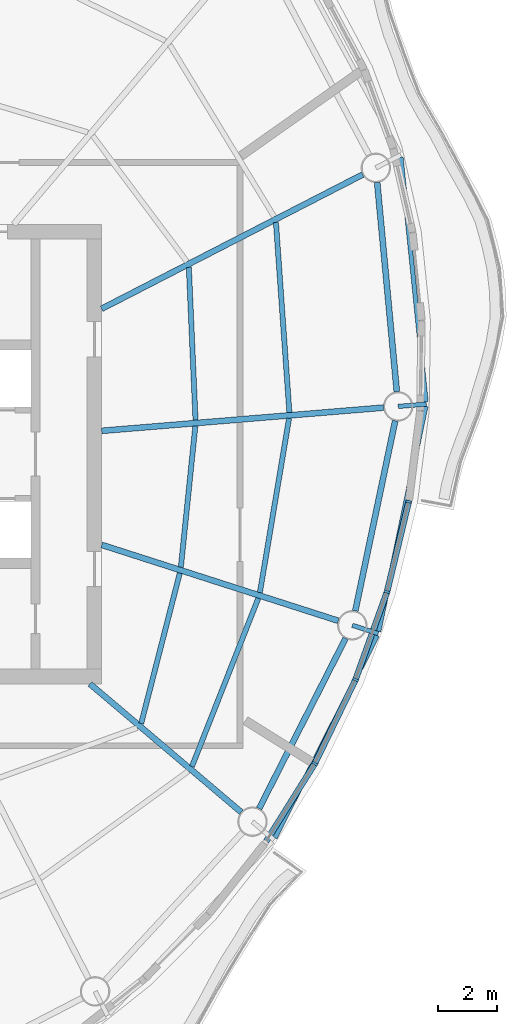
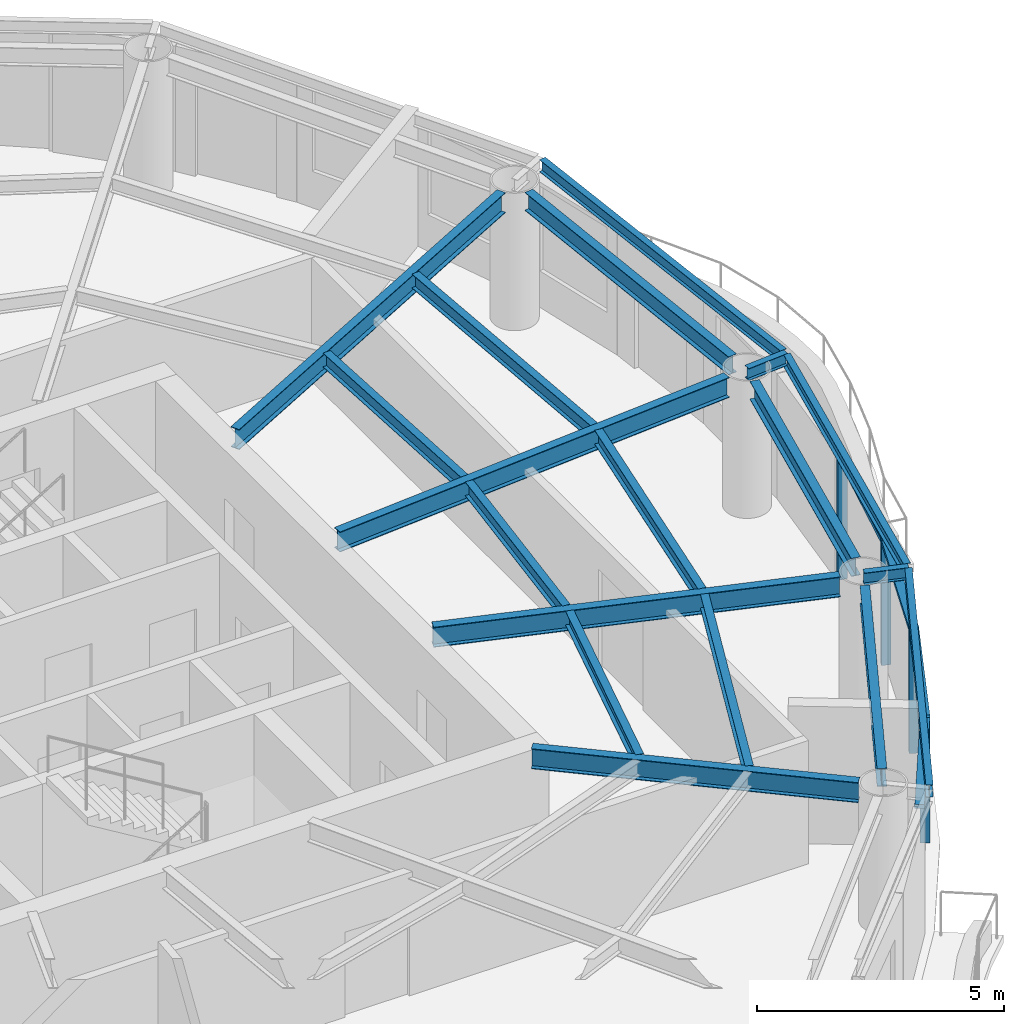
# One storey, part 4 of 13: 18 beams, 8 members, 4 elements without a shape of their own.
"""IFC4 building model written with IfcOpenShell, lengths in metres."""

from ifc_helpers import new_model, si_unit, direction, frame, origin, origin_2d, place, context, subcontext, project, spatial, rectangle, i_section, extrude, material, material_profile, profile_set, type_object, element, aggregate, save


model = new_model("IFC4")

# Units and contexts
model_context = context("Model", 3, precision=1e-05, world=origin(), true_north=direction((0.0, 1.0)))
body_context = subcontext(model_context, "Body", "Model", "MODEL_VIEW")
ifc_project = project(units=[si_unit("LENGTHUNIT", "METRE"), si_unit("AREAUNIT", "SQUARE_METRE"), si_unit("VOLUMEUNIT", "CUBIC_METRE"), si_unit("PLANEANGLEUNIT", "RADIAN"), si_unit("MASSUNIT", "GRAM", prefix="KILO")], contexts=[model_context])

# Site, building, storey
site_placement = place(None, origin())
site = spatial("IfcSite", under=ifc_project, at=site_placement, CompositionType="ELEMENT")
building_placement = place(site_placement, origin())
building = spatial("IfcBuilding", under=site, at=building_placement, Name="Vermilion Reach Broadcast Tower", CompositionType="ELEMENT")
storey_placement = place(building_placement, frame((0.0, 0.0, 300.89990234375)))
storey = spatial("IfcBuildingStorey", under=building, at=storey_placement, Name="L75", CompositionType="ELEMENT", Elevation=300.89990234375)

# Beams
ifc_material_1 = material(Name="Steel S355J2", Category="steel")
ifc_material_profile_1 = material_profile(ifc_material_1, i_section(OverallWidth=0.14990234375, OverallDepth=0.300048828125, WebThickness=0.006591796875, FlangeThickness=0.009033203125, at=origin_2d()), Name="S355J2 HN 300x150x6.5x9")
ifc_profile_set_1 = profile_set([ifc_material_profile_1], Name="Steel S355J2")
beam_type_1 = type_object("IfcBeamType", Name="EB5 HN 300x150x6.5x9", PredefinedType="BEAM", material=ifc_profile_set_1)
beam_1_placement = place(storey_placement, frame((9.48291015625, -13.02734375, 3.25), z_axis=(0.451232435887, 0.892406459414, 0.0), x_axis=(-0.892406459414, 0.451232435887, 0.0)))
element("IfcBeam", 1, at=beam_1_placement, inside=storey, type_object=beam_type_1, Name="Edge beam EB5-12", PredefinedType="BEAM", context=body_context, shape_type="SweptSolid", body=[
    extrude(i_section(OverallWidth=0.14990234375, OverallDepth=0.300048828125, WebThickness=0.006591796875, FlangeThickness=0.009033203125, at=origin_2d()), origin(), (0.0, 0.0, 1.0), 7.6943359375),
])
beam_2_placement = place(storey_placement, frame((13.00439453125, -6.019287109375, 3.25), z_axis=(0.204738436734, 0.978816720599, 0.0), x_axis=(-0.978816720599, 0.204738436734, 0.0)))
element("IfcBeam", 2, at=beam_2_placement, inside=storey, type_object=beam_type_1, Name="Edge beam EB5-13", PredefinedType="BEAM", context=body_context, shape_type="SweptSolid", body=[
    extrude(i_section(OverallWidth=0.14990234375, OverallDepth=0.300048828125, WebThickness=0.006591796875, FlangeThickness=0.009033203125, at=origin_2d()), origin(), (0.0, 0.0, 1.0), 7.806884765625),
])
beam_3_placement = place(storey_placement, frame((14.611083984375, 1.7734375, 3.25), z_axis=(-0.102011792202, 0.99478318957, 0.0), x_axis=(-0.99478318957, -0.102011792202, 0.0)))
element("IfcBeam", 3, at=beam_3_placement, inside=storey, type_object=beam_type_1, Name="Edge beam EB5-14", PredefinedType="BEAM", context=body_context, shape_type="SweptSolid", body=[
    extrude(i_section(OverallWidth=0.14990234375, OverallDepth=0.300048828125, WebThickness=0.006591796875, FlangeThickness=0.009033203125, at=origin_2d()), origin(), (0.0, 0.0, 1.0), 8.34521484375),
])
ifc_material_2 = material(Name="Steel S355J2", Category="steel")
ifc_material_profile_2 = material_profile(ifc_material_2, i_section(OverallWidth=0.199951171875, OverallDepth=0.5, WebThickness=0.010009765625, FlangeThickness=0.01611328125, at=origin_2d()), Name="S355J2 HN 500x200x10x16")
ifc_profile_set_2 = profile_set([ifc_material_profile_2], Name="Steel S355J2")
beam_type_2 = type_object("IfcBeamType", Name="G5 HN 500x200x10x16", PredefinedType="BEAM", material=ifc_profile_set_2)
beam_4_placement = place(storey_placement, frame((3.20068359375, -7.800048828125, 3.150146484375), z_axis=(0.762793125612, -0.646642596431, 0.0), x_axis=(0.646642596431, 0.762793125612, 0.0)))
element("IfcBeam", 4, at=beam_4_placement, inside=storey, type_object=beam_type_2, Name="Girder G5-12", PredefinedType="BEAM", context=body_context, shape_type="SweptSolid", body=[
    extrude(i_section(OverallWidth=0.199951171875, OverallDepth=0.5, WebThickness=0.010009765625, FlangeThickness=0.01611328125, at=origin_2d()), origin(), (0.0, 0.0, 1.0), 6.732421875),
])
beam_5_placement = place(storey_placement, frame((3.60009765625, -3.080322265625, 3.150146484375), z_axis=(0.952178453449, -0.305542456604, 0.0), x_axis=(0.305542456604, 0.952178453449, 0.0)))
element("IfcBeam", 5, at=beam_5_placement, inside=storey, type_object=beam_type_2, Name="Girder G5-13", PredefinedType="BEAM", context=body_context, shape_type="SweptSolid", body=[
    extrude(i_section(OverallWidth=0.199951171875, OverallDepth=0.5, WebThickness=0.010009765625, FlangeThickness=0.01611328125, at=origin_2d()), origin(), (0.0, 0.0, 1.0), 8.43310546875),
])
beam_6_placement = place(storey_placement, frame((3.60009765625, 0.791015625, 3.150146484375), z_axis=(0.996624410075, 0.082096195058, 0.0), x_axis=(-0.082096195058, 0.996624410075, 0.0)))
element("IfcBeam", 6, at=beam_6_placement, inside=storey, type_object=beam_type_2, Name="Girder G5-14", PredefinedType="BEAM", context=body_context, shape_type="SweptSolid", body=[
    extrude(i_section(OverallWidth=0.199951171875, OverallDepth=0.5, WebThickness=0.010009765625, FlangeThickness=0.01611328125, at=origin_2d()), origin(), (0.0, 0.0, 1.0), 9.599609375),
])
beam_7_placement = place(storey_placement, frame((3.60009765625, 4.935791015625, 3.150146484375), z_axis=(0.889332502449, 0.457261085254, 0.0), x_axis=(-0.457261085254, 0.889332502449, 0.0)))
element("IfcBeam", 7, at=beam_7_placement, inside=storey, type_object=beam_type_2, Name="Girder G5-15", PredefinedType="BEAM", context=body_context, shape_type="SweptSolid", body=[
    extrude(i_section(OverallWidth=0.199951171875, OverallDepth=0.5, WebThickness=0.010009765625, FlangeThickness=0.01611328125, at=origin_2d()), origin(), (0.0, 0.0, 1.0), 9.96337890625),
])
ifc_material_3 = material(Name="Steel S355J2", Category="steel")
ifc_material_profile_3 = material_profile(ifc_material_3, i_section(OverallWidth=0.14990234375, OverallDepth=0.300048828125, WebThickness=0.006591796875, FlangeThickness=0.009033203125, at=origin_2d()), Name="S355J2 HN 300x150x6.5x9")
ifc_profile_set_3 = profile_set([ifc_material_profile_3], Name="Steel S355J2")
beam_type_3 = type_object("IfcBeamType", Name="GS5 HN 300x150x6.5x9", PredefinedType="BEAM", material=ifc_profile_set_3)
beam_8_placement = place(storey_placement, frame((12.10595703125, -5.809814453125, 3.25), z_axis=(0.952228317443, -0.305387019141, 0.0), x_axis=(0.305387019141, 0.952228317443, 0.0)))
element("IfcBeam", 8, at=beam_8_placement, inside=storey, type_object=beam_type_3, Name="Cantilever stub GS5-13", PredefinedType="BEAM", context=body_context, shape_type="SweptSolid", body=[
    extrude(i_section(OverallWidth=0.14990234375, OverallDepth=0.300048828125, WebThickness=0.006591796875, FlangeThickness=0.009033203125, at=origin_2d()), origin(), (0.0, 0.0, 1.0), 0.92724609375),
])
beam_9_placement = place(storey_placement, frame((13.665771484375, 1.620361328125, 3.25), z_axis=(0.996634988565, 0.081967673925, 0.0), x_axis=(-0.081967673925, 0.996634988565, 0.0)))
element("IfcBeam", 9, at=beam_9_placement, inside=storey, type_object=beam_type_3, Name="Cantilever stub GS5-14", PredefinedType="BEAM", context=body_context, shape_type="SweptSolid", body=[
    extrude(i_section(OverallWidth=0.14990234375, OverallDepth=0.300048828125, WebThickness=0.006591796875, FlangeThickness=0.009033203125, at=origin_2d()), origin(), (0.0, 0.0, 1.0), 0.9560546875),
])
ifc_material_4 = material(Name="Steel S355J2", Category="steel")
ifc_material_profile_4 = material_profile(ifc_material_4, i_section(OverallWidth=0.199951171875, OverallDepth=0.449951171875, WebThickness=0.009033203125, FlangeThickness=0.013916015625, at=origin_2d()), Name="S355J2 HN 450x200x9x14")
ifc_profile_set_4 = profile_set([ifc_material_profile_4], Name="Steel S355J2")
beam_type_4 = type_object("IfcBeamType", Name="RB5 HN 450x200x9x14", PredefinedType="BEAM", material=ifc_profile_set_4)
beam_10_placement = place(storey_placement, frame((8.944091796875, -12.03125, 3.175048828125), z_axis=(0.453052302855, 0.891483937532, 0.0), x_axis=(-0.891483937532, 0.453052302855, 0.0)))
element("IfcBeam", 10, at=beam_10_placement, inside=storey, type_object=beam_type_4, Name="Ring beam RB5-12", PredefinedType="BEAM", context=body_context, shape_type="SweptSolid", body=[
    extrude(i_section(OverallWidth=0.199951171875, OverallDepth=0.449951171875, WebThickness=0.009033203125, FlangeThickness=0.013916015625, at=origin_2d()), origin(), (0.0, 0.0, 1.0), 6.47900390625),
])
beam_11_placement = place(storey_placement, frame((12.208740234375, -5.3203125, 3.175048828125), z_axis=(0.205444869285, 0.978668690459, 0.0), x_axis=(-0.978668690459, 0.205444869285, 0.0)))
element("IfcBeam", 11, at=beam_11_placement, inside=storey, type_object=beam_type_4, Name="Ring beam RB5-13", PredefinedType="BEAM", context=body_context, shape_type="SweptSolid", body=[
    extrude(i_section(OverallWidth=0.199951171875, OverallDepth=0.449951171875, WebThickness=0.009033203125, FlangeThickness=0.013916015625, at=origin_2d()), origin(), (0.0, 0.0, 1.0), 6.591796875),
])
beam_12_placement = place(storey_placement, frame((13.618896484375, 2.1181640625, 3.175048828125), z_axis=(-0.093441399272, 0.995624781181, 0.0), x_axis=(-0.995624781181, -0.093441399272, 0.0)))
element("IfcBeam", 12, at=beam_12_placement, inside=storey, type_object=beam_type_4, Name="Ring beam RB5-14", PredefinedType="BEAM", context=body_context, shape_type="SweptSolid", body=[
    extrude(i_section(OverallWidth=0.199951171875, OverallDepth=0.449951171875, WebThickness=0.009033203125, FlangeThickness=0.013916015625, at=origin_2d()), origin(), (0.0, 0.0, 1.0), 7.135498046875),
])
ifc_material_5 = material(Name="Steel S355J2", Category="steel")
ifc_material_profile_5 = material_profile(ifc_material_5, i_section(OverallWidth=0.175048828125, OverallDepth=0.35009765625, WebThickness=0.007080078125, FlangeThickness=0.010986328125, at=origin_2d()), Name="S355J2 HN 350x175x7x11")
ifc_profile_set_5 = profile_set([ifc_material_profile_5], Name="Steel S355J2")
beam_type_5 = type_object("IfcBeamType", Name="SB5 HN 350x175x7x11", PredefinedType="BEAM", material=ifc_profile_set_5)
beam_13_placement = place(storey_placement, frame((4.940185546875, -9.1435546875, 3.22509765625), z_axis=(0.248729575729, 0.968572969971, 0.0), x_axis=(-0.968572969971, 0.248729575729, 0.0)))
element("IfcBeam", 13, at=beam_13_placement, inside=storey, type_object=beam_type_5, Name="Secondary beam SB5-12-1", PredefinedType="BEAM", context=body_context, shape_type="SweptSolid", body=[
    extrude(i_section(OverallWidth=0.175048828125, OverallDepth=0.35009765625, WebThickness=0.007080078125, FlangeThickness=0.010986328125, at=origin_2d()), origin(), (0.0, 0.0, 1.0), 5.27294921875),
])
beam_14_placement = place(storey_placement, frame((6.6630859375, -10.604248046875, 3.22509765625), z_axis=(0.366931189603, 0.930248086317, 0.0), x_axis=(-0.930248086317, 0.366931189603, 0.0)))
element("IfcBeam", 14, at=beam_14_placement, inside=storey, type_object=beam_type_5, Name="Secondary beam SB5-12-2", PredefinedType="BEAM", context=body_context, shape_type="SweptSolid", body=[
    extrude(i_section(OverallWidth=0.175048828125, OverallDepth=0.35009765625, WebThickness=0.007080078125, FlangeThickness=0.010986328125, at=origin_2d()), origin(), (0.0, 0.0, 1.0), 6.141357421875),
])
beam_15_placement = place(storey_placement, frame((6.287109375, -3.837646484375, 3.22509765625), z_axis=(0.102113775264, 0.994772726255, 0.0), x_axis=(-0.994772726255, 0.102113775264, 0.0)))
element("IfcBeam", 15, at=beam_15_placement, inside=storey, type_object=beam_type_5, Name="Secondary beam SB5-13-1", PredefinedType="BEAM", context=body_context, shape_type="SweptSolid", body=[
    extrude(i_section(OverallWidth=0.175048828125, OverallDepth=0.35009765625, WebThickness=0.007080078125, FlangeThickness=0.010986328125, at=origin_2d()), origin(), (0.0, 0.0, 1.0), 4.815185546875),
])
beam_16_placement = place(storey_placement, frame((8.969970703125, -4.698486328125, 3.22509765625), z_axis=(0.16532337011, 0.986239414795, 0.0), x_axis=(-0.986239414795, 0.16532337011, 0.0)))
element("IfcBeam", 16, at=beam_16_placement, inside=storey, type_object=beam_type_5, Name="Secondary beam SB5-13-2", PredefinedType="BEAM", context=body_context, shape_type="SweptSolid", body=[
    extrude(i_section(OverallWidth=0.175048828125, OverallDepth=0.35009765625, WebThickness=0.007080078125, FlangeThickness=0.010986328125, at=origin_2d()), origin(), (0.0, 0.0, 1.0), 5.99560546875),
])
beam_17_placement = place(storey_placement, frame((6.78466796875, 1.153564453125, 3.22509765625), z_axis=(-0.043557530017, 0.999050920413, 0.0), x_axis=(-0.999050920413, -0.043557530017, 0.0)))
element("IfcBeam", 17, at=beam_17_placement, inside=storey, type_object=beam_type_5, Name="Secondary beam SB5-14-1", PredefinedType="BEAM", context=body_context, shape_type="SweptSolid", body=[
    extrude(i_section(OverallWidth=0.175048828125, OverallDepth=0.35009765625, WebThickness=0.007080078125, FlangeThickness=0.010986328125, at=origin_2d()), origin(), (0.0, 0.0, 1.0), 5.19580078125),
])
beam_18_placement = place(storey_placement, frame((9.97119140625, 1.416259765625, 3.22509765625), z_axis=(-0.070586780458, 0.997505642302, 0.0), x_axis=(-0.997505642302, -0.070586780458, 0.0)))
element("IfcBeam", 18, at=beam_18_placement, inside=storey, type_object=beam_type_5, Name="Secondary beam SB5-14-2", PredefinedType="BEAM", context=body_context, shape_type="SweptSolid", body=[
    extrude(i_section(OverallWidth=0.175048828125, OverallDepth=0.35009765625, WebThickness=0.007080078125, FlangeThickness=0.010986328125, at=origin_2d()), origin(), (0.0, 0.0, 1.0), 6.46435546875),
])

# Curtain wall, member
ifc_material_6 = material(Name="Low-e laminated clear glass in aluminium frame", Category="aluminium")
curtain_wall_type = type_object("IfcCurtainWallType", Name="Slot curtain wall", PredefinedType="NOTDEFINED", material=ifc_material_6)
placement = place(storey_placement, origin())
curtain_wall_1 = element("IfcCurtainWall", 19, at=placement, inside=storey, type_object=curtain_wall_type, Name="Slot curtain wall L75 35", PredefinedType="NOTDEFINED")
ifc_material_7 = material(Name="Anodised aluminium", Category="aluminium")
ifc_material_profile_6 = material_profile(ifc_material_7, rectangle(XDim=0.199951171875, YDim=0.080078125, at=origin_2d()), Name="Slot mullion 80 x 200")
ifc_profile_set_6 = profile_set([ifc_material_profile_6], Name="Anodised aluminium")
member_type_1 = type_object("IfcMemberType", Name="Slot mullion 80 x 200", PredefinedType="MULLION", material=ifc_profile_set_6)
member_1_placement = place(storey_placement, frame((10.833740234375, -10.50732421875, 0.0), z_axis=(0.0, 0.0, 1.0), x_axis=(-0.874907884639, 0.484289369485, 0.0)))
member_1 = element("IfcMember", 20, at=member_1_placement, type_object=member_type_1, Name="Slot mullion L75 35", PredefinedType="MULLION", context=body_context, shape_type="SweptSolid", body=[
    extrude(rectangle(XDim=0.199951171875, YDim=0.080078125, at=origin_2d()), origin(), (0.0, 0.0, 1.0), 3.10009765625),
])

curtain_wall_2 = element("IfcCurtainWall", 21, at=placement, inside=storey, type_object=curtain_wall_type, Name="Slot curtain wall L75 36", PredefinedType="NOTDEFINED")
member_2_placement = place(storey_placement, frame((12.216064453125, -7.6572265625, 0.0), z_axis=(0.0, 0.0, 1.0), x_axis=(-0.921863136506, 0.387515622332, 0.0)))
member_2 = element("IfcMember", 22, at=member_2_placement, type_object=member_type_1, Name="Slot mullion L75 36", PredefinedType="MULLION", context=body_context, shape_type="SweptSolid", body=[
    extrude(rectangle(XDim=0.199951171875, YDim=0.080078125, at=origin_2d()), origin(), (0.0, 0.0, 1.0), 3.10009765625),
])

# Curtain wall, members
curtain_wall_3 = element("IfcCurtainWall", 23, at=placement, inside=storey, type_object=curtain_wall_type, Name="Slot curtain wall L75 37", PredefinedType="NOTDEFINED")
member_3_placement = place(storey_placement, frame((13.28515625, -4.675537109375, 0.0), z_axis=(0.0, 0.0, 1.0), x_axis=(-0.95815247884, 0.28625832266, 0.0)))
member_3 = element("IfcMember", 24, at=member_3_placement, type_object=member_type_1, Name="Slot mullion L75 37", PredefinedType="MULLION", context=body_context, shape_type="SweptSolid", body=[
    extrude(rectangle(XDim=0.199951171875, YDim=0.080078125, at=origin_2d()), origin(), (0.0, 0.0, 1.0), 3.10009765625),
])
member_4_placement = place(storey_placement, frame((14.022705078125, -1.613525390625, 0.0), z_axis=(0.0, 0.0, 1.0), x_axis=(-0.983574551017, 0.180502361735, 0.0)))
member_4 = element("IfcMember", 25, at=member_4_placement, type_object=member_type_1, Name="Slot mullion L75 38", PredefinedType="MULLION", context=body_context, shape_type="SweptSolid", body=[
    extrude(rectangle(XDim=0.199951171875, YDim=0.080078125, at=origin_2d()), origin(), (0.0, 0.0, 1.0), 3.10009765625),
])

# Curtain wall, member
curtain_wall_4 = element("IfcCurtainWall", 26, at=placement, inside=storey, type_object=curtain_wall_type, Name="Slot curtain wall L75 34", PredefinedType="NOTDEFINED")
ifc_material_8 = material(Name="Anodised aluminium", Category="aluminium")
ifc_material_profile_7 = material_profile(ifc_material_8, rectangle(XDim=0.199951171875, YDim=0.10009765625, at=origin_2d()), Name="Slot transom 200 x 100")
ifc_profile_set_7 = profile_set([ifc_material_profile_7], Name="Anodised aluminium")
member_type_2 = type_object("IfcMemberType", Name="Slot transom 200 x 100", PredefinedType="USERDEFINED", material=ifc_profile_set_7)
member_5_placement = place(storey_placement, frame((9.183349609375, -13.142822265625, 3.050048828125), z_axis=(0.530742261773, 0.847533274608, 0.0), x_axis=(-0.847533274608, 0.530742261773, 0.0)))
member_5 = element("IfcMember", 27, at=member_5_placement, type_object=member_type_2, Name="Slot transom L75 34.1", ObjectType="TRANSOM", PredefinedType="USERDEFINED", context=body_context, shape_type="SweptSolid", body=[
    extrude(rectangle(XDim=0.199951171875, YDim=0.10009765625, at=origin_2d()), origin(), (0.0, 0.0, 1.0), 3.069580078125),
])
aggregate(curtain_wall_4, [member_5])

# Member
member_6_placement = place(storey_placement, frame((10.85107421875, -10.471435546875, 3.050048828125), z_axis=(0.436395725314, 0.899754839346, 0.0), x_axis=(-0.899754839346, 0.436395725314, 0.0)))
member_6 = element("IfcMember", 28, at=member_6_placement, type_object=member_type_2, Name="Slot transom L75 35.1", ObjectType="TRANSOM", PredefinedType="USERDEFINED", context=body_context, shape_type="SweptSolid", body=[
    extrude(rectangle(XDim=0.199951171875, YDim=0.10009765625, at=origin_2d()), origin(), (0.0, 0.0, 1.0), 3.087646484375),
])

aggregate(curtain_wall_1, [member_1, member_6])

member_7_placement = place(storey_placement, frame((12.2294921875, -7.61962890625, 3.050048828125), z_axis=(0.337543256367, 0.94131001805, 0.0), x_axis=(-0.94131001805, 0.337543256367, 0.0)))
member_7 = element("IfcMember", 29, at=member_7_placement, type_object=member_type_2, Name="Slot transom L75 36.1", ObjectType="TRANSOM", PredefinedType="USERDEFINED", context=body_context, shape_type="SweptSolid", body=[
    extrude(rectangle(XDim=0.199951171875, YDim=0.10009765625, at=origin_2d()), origin(), (0.0, 0.0, 1.0), 3.087646484375),
])

aggregate(curtain_wall_2, [member_2, member_7])

member_8_placement = place(storey_placement, frame((13.29443359375, -4.63671875, 3.050048828125), z_axis=(0.234161039957, 0.972197823165, 0.0), x_axis=(-0.972197823165, 0.234161039957, 0.0)))
member_8 = element("IfcMember", 30, at=member_8_placement, type_object=member_type_2, Name="Slot transom L75 37.1", ObjectType="TRANSOM", PredefinedType="USERDEFINED", context=body_context, shape_type="SweptSolid", body=[
    extrude(rectangle(XDim=0.199951171875, YDim=0.10009765625, at=origin_2d()), origin(), (0.0, 0.0, 1.0), 3.069580078125),
])

aggregate(curtain_wall_3, [member_3, member_4, member_8])

save(model, "model.ifc")
